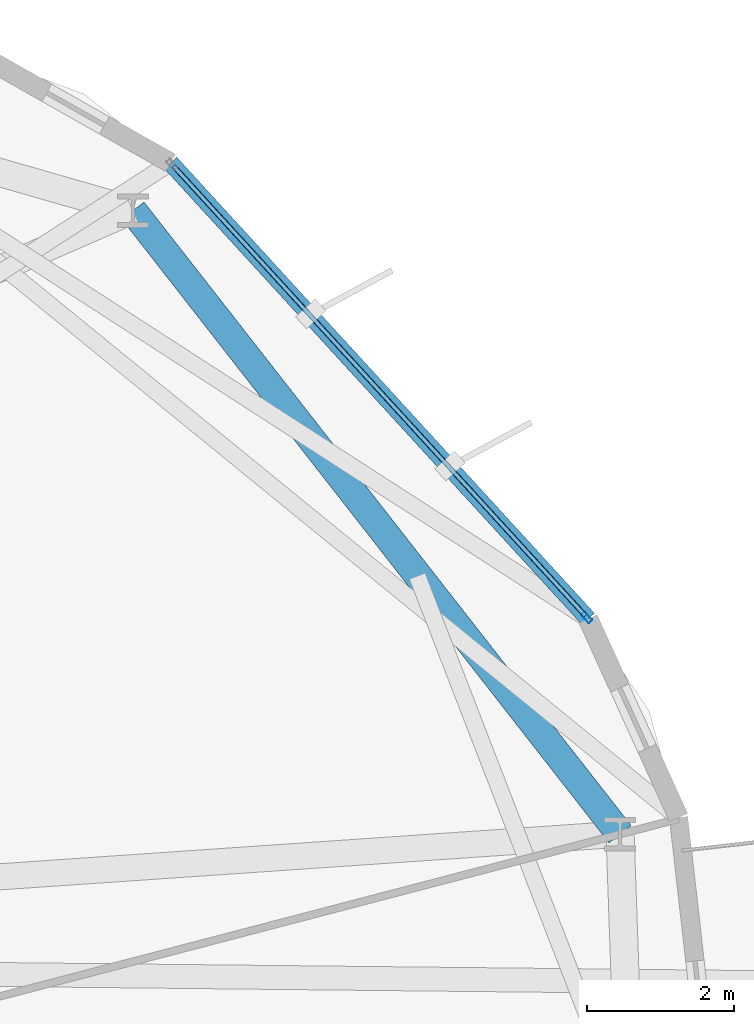
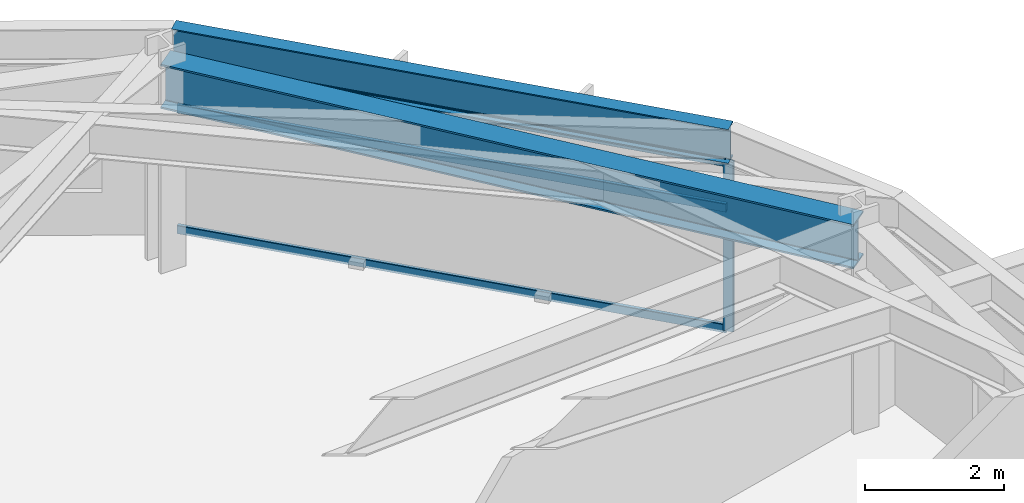
# One storey, part 13 of 23: 4 members, 2 beams, 1 element without a shape of its own.
"""IFC4 building model written with IfcOpenShell, lengths in metres."""

import ifcopenshell
import ifcopenshell.guid

model = None  # the IFC model being written
_history = None  # IfcOwnerHistory: only IFC2X3 demands one
_inside = {}  # id of a spatial element -> (the spatial element, [elements in it])
_under = {}  # id of a project, library or spatial element -> (it, [spatial elements below it])
_declared = {}  # id of a project -> (the project, [libraries it declares])
_typed = {}  # id of a type object -> (the type object, [elements of that type])
_made_of = {}  # id of a material, layer set ... -> (it, [elements and type objects made of it])


def new_model(schema):
    """Start an empty IFC model of exactly this schema.

    Asked for "IFC4X3", IfcOpenShell would pick the latest addendum, in which some entities
    have other attributes; the version numbers below select the first issue.
    IFC2X3 requires an IfcOwnerHistory on every rooted entity: one is made here for all.
    """
    global model, _history
    if schema == "IFC4X3":
        model = ifcopenshell.file(schema_version=(4, 3, 0, 0))
    else:
        model = ifcopenshell.file(schema=schema)
    _inside.clear()
    _under.clear()
    _declared.clear()
    _typed.clear()
    _made_of.clear()
    _history = None
    if model.schema == "IFC2X3":
        org = make("IfcOrganization", Name="unknown")
        user = make(
            "IfcPersonAndOrganization",
            ThePerson=make("IfcPerson", FamilyName="unknown"),
            TheOrganization=org,
        )
        app = make(
            "IfcApplication",
            ApplicationDeveloper=org,
            Version="unknown",
            ApplicationFullName="unknown",
            ApplicationIdentifier="unknown",
        )
        _history = make(
            "IfcOwnerHistory",
            OwningUser=user,
            OwningApplication=app,
            ChangeAction="ADDED",
            CreationDate=0,
        )
    return model


def make(cls, **values):
    """One entity of the class cls with the attributes given. An attribute that is None is left unset."""
    return model.create_entity(
        cls, **{name: value for name, value in values.items() if value is not None}
    )


def rooted(cls, **values):
    """An entity with a GlobalId (a new one), such as an element, a storey or a relation."""
    return make(cls, GlobalId=ifcopenshell.guid.new(), OwnerHistory=_history, **values)


def si_unit(unit_type, name, prefix=None):
    """IfcSIUnit, for example si_unit("LENGTHUNIT", "METRE", prefix="MILLI")."""
    return make("IfcSIUnit", UnitType=unit_type, Prefix=prefix, Name=name)


def assignment(units):
    """IfcUnitAssignment: the units of a project."""
    return None if units is None else make("IfcUnitAssignment", Units=units)


def point(xyz):
    """IfcCartesianPoint."""
    return None if xyz is None else make("IfcCartesianPoint", Coordinates=xyz)


def direction(xyz):
    """IfcDirection."""
    return None if xyz is None else make("IfcDirection", DirectionRatios=xyz)


def frame(location, z_axis=None, x_axis=None):
    """IfcAxis2Placement3D, a coordinate frame: its origin and axes. An axis left out is left unset."""
    return make(
        "IfcAxis2Placement3D",
        Location=point(location),
        Axis=direction(z_axis),
        RefDirection=direction(x_axis),
    )


def frame_2d(location, x_axis=None):
    """IfcAxis2Placement2D, a coordinate frame in the plane: its origin and x axis."""
    return make(
        "IfcAxis2Placement2D", Location=point(location), RefDirection=direction(x_axis)
    )


def origin():
    """The frame at (0, 0, 0) with its axes left unset."""
    return frame((0.0, 0.0, 0.0))


def origin_2d():
    """The frame at (0, 0) in the plane with its x axis left unset."""
    return frame_2d((0.0, 0.0))


def place(relative_to, where):
    """IfcLocalPlacement: puts the frame where relative to a parent placement (None: the world)."""
    return make(
        "IfcLocalPlacement", PlacementRelTo=relative_to, RelativePlacement=where
    )


def context(
    kind, dimensions, precision=None, world=None, true_north=None, identifier=None
):
    """IfcGeometricRepresentationContext, for example the 3D "Model" context."""
    return make(
        "IfcGeometricRepresentationContext",
        ContextIdentifier=identifier,
        ContextType=kind,
        CoordinateSpaceDimension=dimensions,
        Precision=precision,
        WorldCoordinateSystem=world,
        TrueNorth=true_north,
    )


def subcontext(parent, identifier, kind, view, scale=None):
    """IfcGeometricRepresentationSubContext, for example "Body" below "Model"."""
    return make(
        "IfcGeometricRepresentationSubContext",
        ContextIdentifier=identifier,
        ContextType=kind,
        ParentContext=parent,
        TargetScale=scale,
        TargetView=view,
    )


def project(units=None, contexts=None):
    """IfcProject with its units and contexts."""
    return rooted(
        "IfcProject",
        Name="project",
        RepresentationContexts=contexts,
        UnitsInContext=assignment(units),
    )


def spatial(cls, under=None, at=None, **own):
    """A site, building, storey or space (cls), placed at a placement, below another one or the project."""
    s = rooted(cls, ObjectPlacement=at, **own)
    if under is not None:
        _under.setdefault(under.id(), (under, []))[1].append(s)
    return s


def profile(cls, at=None, kind="AREA", **sizes):
    """A parametric profile (cls). Its sizes go by their IFC names, for example OverallWidth=200.0."""
    return make(cls, ProfileType=kind, Position=at, **sizes)


def hollow_rectangle(**sizes):
    """IfcRectangleHollowProfileDef."""
    return profile("IfcRectangleHollowProfileDef", **sizes)


def i_section(**sizes):
    """IfcIShapeProfileDef."""
    return profile("IfcIShapeProfileDef", **sizes)


def extrude(swept, where, along, depth):
    """IfcExtrudedAreaSolid: the profile swept, set in the frame where, extruded along a direction by depth."""
    return make(
        "IfcExtrudedAreaSolid",
        SweptArea=swept,
        Position=where,
        ExtrudedDirection=direction(along),
        Depth=depth,
    )


def shape(context_of_items, identifier, shape_type, items):
    """IfcShapeRepresentation: the items that make up one representation, for example the "Body"."""
    return make(
        "IfcShapeRepresentation",
        ContextOfItems=context_of_items,
        RepresentationIdentifier=identifier,
        RepresentationType=shape_type,
        Items=items,
    )


def material(Name=None, Category=None):
    """IfcMaterial."""
    return make("IfcMaterial", Name=Name, Category=Category)


def layer(
    of_material, thickness, ventilated=None, Name=None, Category=None, Priority=None
):
    """IfcMaterialLayer: one layer of a wall or slab, of a material (None: an air gap)."""
    return make(
        "IfcMaterialLayer",
        Material=of_material,
        LayerThickness=thickness,
        IsVentilated=ventilated,
        Name=Name,
        Category=Category,
        Priority=Priority,
    )


def layer_set(layers, Name=None):
    """IfcMaterialLayerSet."""
    return make("IfcMaterialLayerSet", MaterialLayers=layers, LayerSetName=Name)


def material_profile(
    of_material, cross_section, Name=None, Category=None, Priority=None
):
    """IfcMaterialProfile: a cross section and its material."""
    return make(
        "IfcMaterialProfile",
        Name=Name,
        Material=of_material,
        Profile=cross_section,
        Priority=Priority,
        Category=Category,
    )


def profile_set(profiles, Name=None, composite=None):
    """IfcMaterialProfileSet."""
    return make(
        "IfcMaterialProfileSet",
        Name=Name,
        MaterialProfiles=profiles,
        CompositeProfile=composite,
    )


def made_of(thing, what):
    """Note that an element or type object is made of a material, layer set ...; save() writes the relation."""
    if what is not None:
        _made_of.setdefault(what.id(), (what, []))[1].append(thing)
    return thing


def type_object(cls, material=None, **own):
    """A type object (cls), such as IfcWallType, which elements share."""
    return made_of(rooted(cls, **own), material)


def element(
    cls,
    number,
    at=None,
    inside=None,
    cuts=None,
    type_object=None,
    material=None,
    context=None,
    identifier="Body",
    shape_type=None,
    held_by="IfcProductDefinitionShape",
    body=None,
    shapes=None,
    **own,
):
    """One element of the class cls, such as IfcWall. Its Tag is "e" and its number.

    at: its placement. inside: the storey or other place that contains it. cuts: it is an
    opening in that element (IfcRelVoidsElement). A single representation is given by context,
    identifier, shape_type and body (its items); several are given by shapes. held_by: the class
    of the entity that holds the representations. save() writes the other relations.
    """
    e = rooted(cls, Tag="e%d" % number, ObjectPlacement=at, **own)
    if body is not None:
        shapes = [shape(context, identifier, shape_type, body)]
    if shapes is not None:
        e.Representation = make(held_by, Representations=shapes)
    if inside is not None:
        _inside.setdefault(inside.id(), (inside, []))[1].append(e)
    if cuts is not None:
        rooted(
            "IfcRelVoidsElement", RelatingBuildingElement=cuts, RelatedOpeningElement=e
        )
    if type_object is not None:
        _typed.setdefault(type_object.id(), (type_object, []))[1].append(e)
    return made_of(e, material)


def aggregate(whole, parts):
    """IfcRelAggregates: a whole, such as a stair, and the parts it consists of."""
    return rooted("IfcRelAggregates", RelatingObject=whole, RelatedObjects=parts)


def save(model, path):
    """Write the relations noted so far, then the file.

    IfcRelAggregates (storeys below a building ...), IfcRelContainedInSpatialStructure (elements
    in a storey), IfcRelDefinesByType, IfcRelAssociatesMaterial and IfcRelDeclares: one each for
    every whole, place, type object, material and project.
    """
    for whole, parts in _under.values():
        aggregate(whole, parts)
    for where, things in _inside.values():
        rooted(
            "IfcRelContainedInSpatialStructure",
            RelatedElements=things,
            RelatingStructure=where,
        )
    for kind, things in _typed.values():
        rooted("IfcRelDefinesByType", RelatedObjects=things, RelatingType=kind)
    for what, things in _made_of.values():
        rooted("IfcRelAssociatesMaterial", RelatedObjects=things, RelatingMaterial=what)
    for by, libraries in _declared.values():
        rooted("IfcRelDeclares", RelatingContext=by, RelatedDefinitions=libraries)
    model.write(path)


model = new_model("IFC4")

# Units and contexts
model_context = context("Model", 3, precision=1e-05, world=origin(), true_north=direction((0.0, 1.0)))
body_context = subcontext(model_context, "Body", "Model", "MODEL_VIEW")
ifc_project = project(units=[si_unit("LENGTHUNIT", "METRE"), si_unit("AREAUNIT", "SQUARE_METRE"), si_unit("VOLUMEUNIT", "CUBIC_METRE"), si_unit("PLANEANGLEUNIT", "RADIAN"), si_unit("MASSUNIT", "GRAM", prefix="KILO")], contexts=[model_context])

# Site, building, storey
site_placement = place(None, origin())
site = spatial("IfcSite", under=ifc_project, at=site_placement, CompositionType="ELEMENT")
building_placement = place(site_placement, origin())
building = spatial("IfcBuilding", under=site, at=building_placement, Name="Soratama Intermodal Tower", CompositionType="ELEMENT")
storey_placement = place(building_placement, frame((0.0, 0.0, 122.5)))
storey = spatial("IfcBuildingStorey", under=building, at=storey_placement, Name="L29", CompositionType="ELEMENT", Elevation=122.5)

# Beams
ifc_material_1 = material(Name="Structural steel ASTM A992 Grade 50", Category="steel")
ifc_material_profile_1 = material_profile(ifc_material_1, i_section(OverallWidth=0.382080078125, OverallDepth=0.779052734375, WebThickness=0.01806640625, FlangeThickness=0.030029296875, FilletRadius=0.01806640625, at=origin_2d()), Name="W30X191")
ifc_profile_set_1 = profile_set([ifc_material_profile_1], Name="Structural steel ASTM A992 Grade 50")
beam_type_1 = type_object("IfcBeamType", Name="BM-RING-W30X191", PredefinedType="BEAM", material=ifc_profile_set_1)
beam_1_placement = place(storey_placement, frame((61.35107421875, 30.950927734375, 3.21044921875), z_axis=(-0.615683690883, 0.787993396407, 0.0), x_axis=(-0.787993396407, -0.615683690883, 0.0)))
element("IfcBeam", 1, at=beam_1_placement, inside=storey, type_object=beam_type_1, Name="BM-L29-RING-01", PredefinedType="BEAM", context=body_context, shape_type="SweptSolid", body=[
    extrude(i_section(OverallWidth=0.382080078125, OverallDepth=0.779052734375, WebThickness=0.01806640625, FlangeThickness=0.030029296875, FilletRadius=0.01806640625, at=origin_2d()), origin(), (0.0, 0.0, 1.0), 10.754150390625),
])
ifc_material_2 = material(Name="Structural steel ASTM A992 Grade 50", Category="steel")
ifc_material_profile_2 = material_profile(ifc_material_2, i_section(OverallWidth=0.22900390625, OverallDepth=0.612060546875, WebThickness=0.011962890625, FlangeThickness=0.01953125, FilletRadius=0.012939453125, at=origin_2d()), Name="W24X84")
ifc_profile_set_2 = profile_set([ifc_material_profile_2], Name="Structural steel ASTM A992 Grade 50")
beam_type_2 = type_object("IfcBeamType", Name="BM-SPN-W24X84", PredefinedType="SPANDREL", material=ifc_profile_set_2)
beam_2_placement = place(storey_placement, frame((60.91796875, 33.876953125, 3.2939453125), z_axis=(-0.67537601679, 0.737473549319, 0.0), x_axis=(-0.737473549319, -0.67537601679, 0.0)))
element("IfcBeam", 2, at=beam_2_placement, inside=storey, type_object=beam_type_2, Name="BS-L29-F01", PredefinedType="SPANDREL", context=body_context, shape_type="SweptSolid", body=[
    extrude(i_section(OverallWidth=0.22900390625, OverallDepth=0.612060546875, WebThickness=0.011962890625, FlangeThickness=0.01953125, FilletRadius=0.012939453125, at=origin_2d()), origin(), (0.0, 0.0, 1.0), 8.40576171875),
])

# Curtain wall, members
ifc_material_3 = material(Name="Double-glazed aluminium curtain wall", Category="aluminium")
ifc_layer = layer(ifc_material_3, 0.159912109375)
ifc_layer_set = layer_set([ifc_layer], Name="Double-glazed aluminium curtain wall")
curtain_wall_type = type_object("IfcCurtainWallType", Name="CW-SYS-3", PredefinedType="NOTDEFINED", material=ifc_layer_set)
curtain_wall_placement = place(storey_placement, origin())
curtain_wall = element("IfcCurtainWall", 3, at=curtain_wall_placement, inside=storey, type_object=curtain_wall_type, Name="L29 Faceted Curtain Wall F01", PredefinedType="NOTDEFINED")
ifc_material_4 = material(Name="Anodised aluminium AA 6063-T6", Category="aluminium")
ifc_material_profile_3 = material_profile(ifc_material_4, hollow_rectangle(XDim=0.070068359375, YDim=0.159912109375, WallThickness=0.0048828125, InnerFilletRadius=0.0048828125, OuterFilletRadius=0.010009765625, at=origin_2d()), Name="CWM160X70X5")
ifc_profile_set_3 = profile_set([ifc_material_profile_3], Name="Anodised aluminium AA 6063-T6")
member_type_1 = type_object("IfcMemberType", Name="MT-CWM-3", PredefinedType="MULLION", material=ifc_profile_set_3)
member_1_placement = place(storey_placement, frame((60.8974609375, 33.899169921875, 0.0), z_axis=(0.0, 0.0, 1.0), x_axis=(-0.737516021956, -0.675329636073, 0.0)))
member_1 = element("IfcMember", 4, at=member_1_placement, type_object=member_type_1, Name="CW-3 mullion 1", PredefinedType="MULLION", context=body_context, shape_type="SweptSolid", body=[
    extrude(hollow_rectangle(XDim=0.070068359375, YDim=0.159912109375, WallThickness=0.0048828125, InnerFilletRadius=0.0048828125, OuterFilletRadius=0.010009765625, at=origin_2d()), origin(), (0.0, 0.0, 1.0), 2.97900390625),
])
ifc_material_5 = material(Name="Anodised aluminium AA 6063-T6", Category="aluminium")
ifc_material_profile_4 = material_profile(ifc_material_5, hollow_rectangle(XDim=0.06494140625, YDim=0.14990234375, WallThickness=0.0048828125, InnerFilletRadius=0.0048828125, OuterFilletRadius=0.010009765625, at=origin_2d()), Name="CWT150X65X5")
ifc_profile_set_4 = profile_set([ifc_material_profile_4], Name="Anodised aluminium AA 6063-T6")
member_type_2 = type_object("IfcMemberType", Name="TT-CWT-1", PredefinedType="USERDEFINED", material=ifc_profile_set_4)
member_2_placement = place(storey_placement, frame((60.877197265625, 33.92138671875, 0.030029296875), z_axis=(-0.67533624786, 0.737509967612, 0.0), x_axis=(-0.737509967612, -0.67533624786, 0.0)))
member_2 = element("IfcMember", 5, at=member_2_placement, type_object=member_type_2, Name="CW-3 transom 1.1", ObjectType="TRANSOM", PredefinedType="USERDEFINED", context=body_context, shape_type="SweptSolid", body=[
    extrude(hollow_rectangle(XDim=0.06494140625, YDim=0.14990234375, WallThickness=0.0048828125, InnerFilletRadius=0.0048828125, OuterFilletRadius=0.010009765625, at=origin_2d()), origin(), (0.0, 0.0, 1.0), 8.285400390625),
])
member_3_placement = place(storey_placement, frame((60.877197265625, 33.92138671875, 2.14990234375), z_axis=(-0.67533624786, 0.737509967612, 0.0), x_axis=(-0.737509967612, -0.67533624786, 0.0)))
member_3 = element("IfcMember", 6, at=member_3_placement, type_object=member_type_2, Name="CW-3 transom 1.2", ObjectType="TRANSOM", PredefinedType="USERDEFINED", context=body_context, shape_type="SweptSolid", body=[
    extrude(hollow_rectangle(XDim=0.06494140625, YDim=0.14990234375, WallThickness=0.0048828125, InnerFilletRadius=0.0048828125, OuterFilletRadius=0.010009765625, at=origin_2d()), origin(), (0.0, 0.0, 1.0), 8.285400390625),
])
member_4_placement = place(storey_placement, frame((60.877197265625, 33.92138671875, 2.948974609375), z_axis=(-0.67533624786, 0.737509967612, 0.0), x_axis=(-0.737509967612, -0.67533624786, 0.0)))
member_4 = element("IfcMember", 7, at=member_4_placement, type_object=member_type_2, Name="CW-3 transom 1.3", ObjectType="TRANSOM", PredefinedType="USERDEFINED", context=body_context, shape_type="SweptSolid", body=[
    extrude(hollow_rectangle(XDim=0.06494140625, YDim=0.14990234375, WallThickness=0.0048828125, InnerFilletRadius=0.0048828125, OuterFilletRadius=0.010009765625, at=origin_2d()), origin(), (0.0, 0.0, 1.0), 8.285400390625),
])
aggregate(curtain_wall, [member_1, member_2, member_3, member_4])

save(model, "model.ifc")
